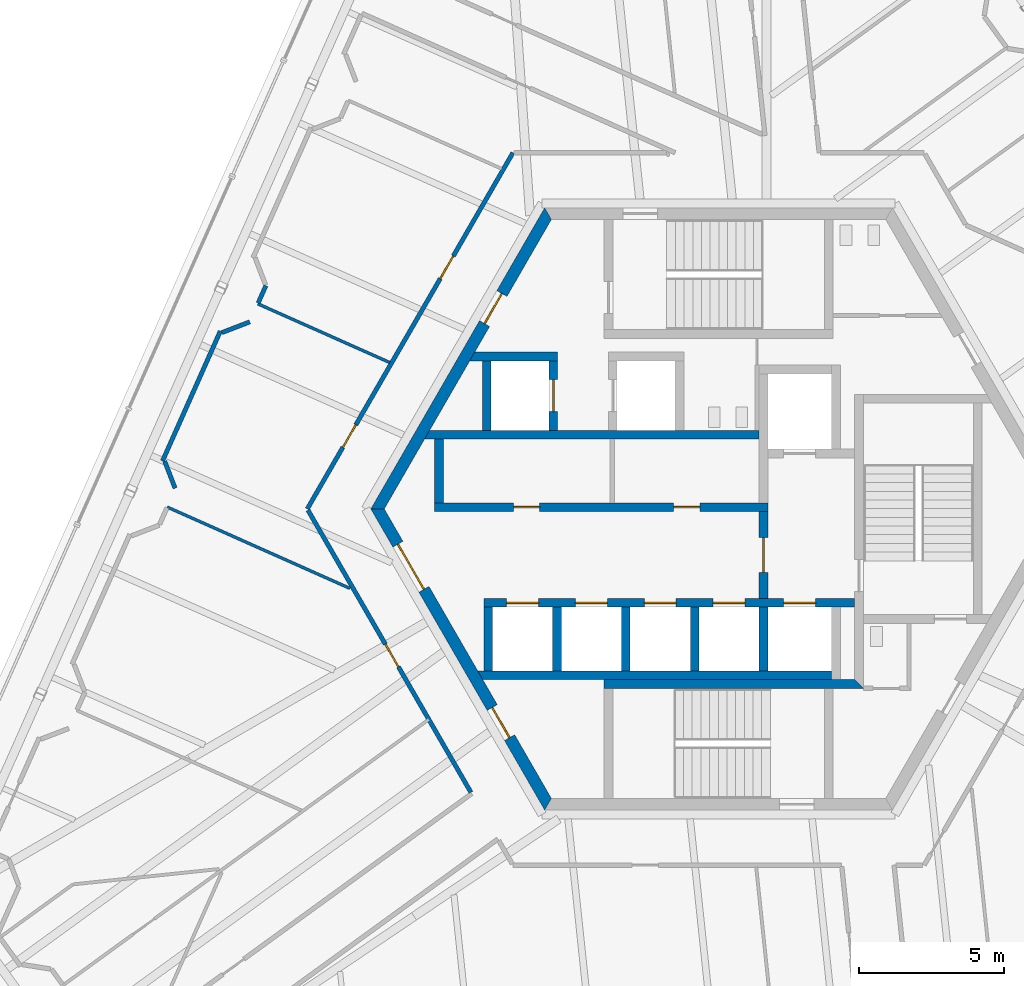
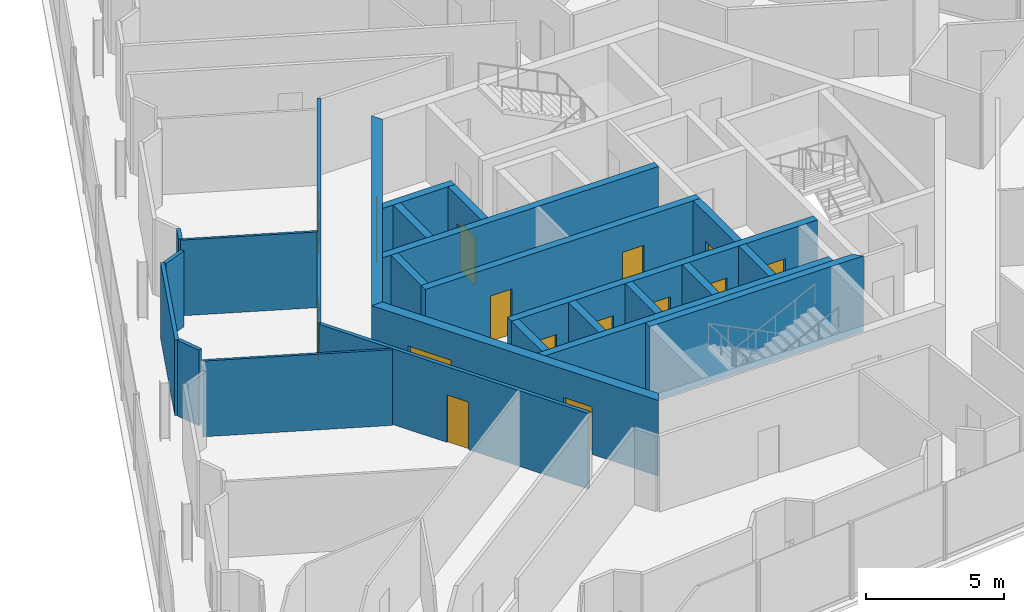
# One storey, part 16 of 26: 25 walls, 15 doors, 15 openings.
"""IFC4 building model written with IfcOpenShell, lengths in metres."""

from ifc_helpers import new_model, si_unit, direction, frame, frame_2d, origin, place, context, subcontext, project, spatial, polyline, rectangle, outline, extrude, source, transform, mapped, material, layer, layer_set, type_object, element, fill, save


model = new_model("IFC4")

# Units and contexts
model_context = context("Model", 3, precision=1e-05, world=origin(), true_north=direction((0.0, 1.0)))
body_context = subcontext(model_context, "Body", "Model", "MODEL_VIEW")
ifc_project = project(units=[si_unit("LENGTHUNIT", "METRE"), si_unit("AREAUNIT", "SQUARE_METRE"), si_unit("VOLUMEUNIT", "CUBIC_METRE"), si_unit("PLANEANGLEUNIT", "RADIAN"), si_unit("MASSUNIT", "GRAM", prefix="KILO")], contexts=[model_context])

# Site, building, storey
site_placement = place(None, origin())
site = spatial("IfcSite", under=ifc_project, at=site_placement, CompositionType="ELEMENT")
building_placement = place(site_placement, origin())
building = spatial("IfcBuilding", under=site, at=building_placement, Name="Triune Harvest Tower", CompositionType="ELEMENT")
storey_placement = place(building_placement, frame((0.0, 0.0, 252.10009765625)))
storey = spatial("IfcBuildingStorey", under=building, at=storey_placement, Name="L66", CompositionType="ELEMENT", Elevation=252.10009765625)

# Wall, opening, door
ifc_material_1 = material(Name="Gypsum board on steel studs", Category="steel")
ifc_layer_1 = layer(ifc_material_1, 0.14990234375)
ifc_layer_set_1 = layer_set([ifc_layer_1], Name="Gypsum board on steel studs")
wall_type_1 = type_object("IfcWallType", Name="Fire Partition 150 mm", PredefinedType="PARTITIONING", material=ifc_layer_set_1)
wall_1_placement = place(storey_placement, frame((-14.1689453125, -0.04296875, 0.0), z_axis=(0.0, 0.0, 1.0), x_axis=(0.500001223064, -0.866024697647, 0.0)))
wall_1 = element("IfcWall", 1, at=wall_1_placement, inside=storey, type_object=wall_type_1, Name="Partition L66 020", PredefinedType="PARTITIONING", context=body_context, shape_type="SweptSolid", body=[
    extrude(rectangle(XDim=11.2451171875, YDim=0.14990234375, at=frame_2d((5.62255859375, 0.0))), origin(), (0.0, 0.0, 1.0), 3.349853515625),
])
opening_1_placement = place(wall_1_placement, frame((5.343505859375, 0.0, 0.0)))
opening_1 = element("IfcOpeningElement", 2, at=opening_1_placement, cuts=wall_1, Name="Opening L66-017", PredefinedType="OPENING", context=body_context, shape_type="SweptSolid", body=[
    extrude(rectangle(XDim=0.89990234375, YDim=2.10009765625, at=frame_2d((0.449951171875, 1.050048828125))), frame((0.0, 0.0849609375, 0.0), z_axis=(0.0, -1.0, 0.0), x_axis=(1.0, 0.0, 0.0)), (0.0, 0.0, 1.0), 0.169921875),
])
ifc_material_2 = material(Name="Timber and steel door set", Category="steel")
door_type_1 = type_object("IfcDoorType", Name="Single leaf door FD30 left hand 900 x 2100", OperationType="SINGLE_SWING_LEFT", PredefinedType="DOOR", material=ifc_material_2)
door_1_placement = place(opening_1_placement, origin())
door_1 = element("IfcDoor", 3, at=door_1_placement, inside=storey, type_object=door_type_1, Name="Door L66-017 Office 66.17", OperationType="SINGLE_SWING_LEFT", OverallHeight=2.10009765625, OverallWidth=0.89990234375, PredefinedType="DOOR", context=body_context, shape_type="SweptSolid", body=[
    extrude(rectangle(XDim=0.89990234375, YDim=2.10009765625, at=frame_2d((0.449951171875, 1.050048828125))), frame((0.0, 0.02490234375, 0.0), z_axis=(0.0, -1.0, 0.0), x_axis=(1.0, 0.0, 0.0)), (0.0, 0.0, 1.0), 0.050048828125),
])
fill(opening_1, door_1)

# Walls
wall_2_placement = place(storey_placement, frame((-15.889404296875, 7.10400390625, 0.0), z_axis=(0.0, 0.0, 1.0), x_axis=(0.406725331802, 0.913550493662, 0.0)))
element("IfcWall", 4, at=wall_2_placement, inside=storey, type_object=wall_type_1, Name="Partition L66 129", PredefinedType="PARTITIONING", context=body_context, shape_type="SweptSolid", body=[
    extrude(rectangle(XDim=0.656005859375, YDim=0.14990234375, at=frame_2d((0.328125, 0.0))), origin(), (0.0, 0.0, 1.0), 3.349853515625),
])
ifc_material_3 = material(Name="Gypsum board on steel studs", Category="steel")
ifc_layer_2 = layer(ifc_material_3, 0.10009765625)
ifc_layer_set_2 = layer_set([ifc_layer_2], Name="Gypsum board on steel studs")
wall_type_2 = type_object("IfcWallType", Name="Partition 100 mm", PredefinedType="PARTITIONING", material=ifc_layer_set_2)
wall_3_placement = place(storey_placement, frame((-19.02392578125, 0.063720703125, 0.0), z_axis=(0.0, 0.0, 1.0), x_axis=(0.913544422689, -0.406738967611, 0.0)))
element("IfcWall", 5, at=wall_3_placement, inside=storey, type_object=wall_type_2, Name="Partition L66 049", PredefinedType="PARTITIONING", context=body_context, shape_type="SweptSolid", body=[
    extrude(rectangle(XDim=6.902099609375, YDim=0.10009765625, at=frame_2d((3.451171875, 0.0))), origin(), (0.0, 0.0, 1.0), 3.349853515625),
])

# Wall, opening, door
ifc_material_4 = material(Name="Concrete 70 MPa", Category="concrete")
ifc_layer_3 = layer(ifc_material_4, 0.39990234375)
ifc_layer_set_3 = layer_set([ifc_layer_3], Name="Concrete 70 MPa")
wall_type_3 = type_object("IfcWallType", Name="Core wall 400", PredefinedType="SHEAR", material=ifc_layer_set_3)
shared_shape_1 = source(origin(), body_context, "Body", "SweptSolid", [
    extrude(outline(polyline([(-0.115478515625, -0.199951171875), (11.884521484375, -0.199951171875), (11.653564453125, 0.199951171875), (0.115478515625, 0.199951171875), (-0.115478515625, -0.199951171875)])), origin(), (0.0, 0.0, 1.0), 3.349853515625),
])
wall_4_placement = place(storey_placement, frame((-5.884521484375, 10.1923828125, 0.0), z_axis=(0.0, 0.0, 1.0), x_axis=(-0.499996592174, -0.866027371285, 0.0)))
wall_4 = element("IfcWall", 6, at=wall_4_placement, inside=storey, type_object=wall_type_3, Name="Hexagon 2 wall", PredefinedType="SHEAR", context=body_context, shape_type="MappedRepresentation", body=[
    mapped(shared_shape_1, transform((0.0, 0.0, 0.0), scale=1.0)),
])
opening_2_placement = place(wall_4_placement, frame((3.1845703125, 0.0, 0.0)))
opening_2 = element("IfcOpeningElement", 7, at=opening_2_placement, cuts=wall_4, Name="Opening CD-SVP", PredefinedType="OPENING", context=body_context, shape_type="SweptSolid", body=[
    extrude(rectangle(XDim=1.199951171875, YDim=2.10009765625, at=frame_2d((0.60009765625, 1.050048828125))), frame((0.0, 0.2099609375, 0.0), z_axis=(0.0, -1.0, 0.0), x_axis=(1.0, 0.0, 0.0)), (0.0, 0.0, 1.0), 0.419921875),
])
ifc_material_5 = material(Name="Steel S235", Category="steel")
door_type_2 = type_object("IfcDoorType", Name="Service door 1200 FD120", OperationType="SINGLE_SWING_LEFT", PredefinedType="DOOR", material=ifc_material_5)
door_2_placement = place(opening_2_placement, frame((1.199951171875, 0.0, 0.0), z_axis=(0.0, 0.0, 1.0), x_axis=(-1.0, 0.0, 0.0)))
door_2 = element("IfcDoor", 8, at=door_2_placement, inside=storey, type_object=door_type_2, Name="Door CD-SVP", OperationType="SINGLE_SWING_RIGHT", OverallHeight=2.10009765625, OverallWidth=1.199951171875, PredefinedType="DOOR", context=body_context, shape_type="SweptSolid", body=[
    extrude(rectangle(XDim=1.199951171875, YDim=2.10009765625, at=frame_2d((0.60009765625, 1.050048828125))), frame((0.0, 0.02490234375, 0.0), z_axis=(0.0, -1.0, 0.0), x_axis=(1.0, 0.0, 0.0)), (0.0, 0.0, 1.0), 0.050048828125),
])
fill(opening_2, door_2)

# Wall, openings, doors
wall_5_placement = place(storey_placement, frame((-11.76904296875, 0.0, 0.0), z_axis=(0.0, 0.0, 1.0), x_axis=(0.499996592174, -0.866027371285, 0.0)))
wall_5 = element("IfcWall", 9, at=wall_5_placement, inside=storey, type_object=wall_type_3, Name="Hexagon 3 wall", PredefinedType="SHEAR", context=body_context, shape_type="MappedRepresentation", body=[
    mapped(shared_shape_1, transform((0.0, 0.0, 0.0), scale=1.0)),
])
opening_3_placement = place(wall_5_placement, frame((1.404541015625, 0.0, 0.0)))
opening_3 = element("IfcOpeningElement", 10, at=opening_3_placement, cuts=wall_5, Name="Opening CD-LS", PredefinedType="OPENING", context=body_context, shape_type="SweptSolid", body=[
    extrude(rectangle(XDim=1.800048828125, YDim=2.10009765625, at=frame_2d((0.89990234375, 1.050048828125))), frame((0.0, 0.2099609375, 0.0), z_axis=(0.0, -1.0, 0.0), x_axis=(1.0, 0.0, 0.0)), (0.0, 0.0, 1.0), 0.419921875),
])
opening_4_placement = place(wall_5_placement, frame((7.91455078125, 0.0, 0.0)))
opening_4 = element("IfcOpeningElement", 11, at=opening_4_placement, cuts=wall_5, Name="Opening CD-SWP", PredefinedType="OPENING", context=body_context, shape_type="SweptSolid", body=[
    extrude(rectangle(XDim=1.199951171875, YDim=2.10009765625, at=frame_2d((0.60009765625, 1.050048828125))), frame((0.0, 0.2099609375, 0.0), z_axis=(0.0, -1.0, 0.0), x_axis=(1.0, 0.0, 0.0)), (0.0, 0.0, 1.0), 0.419921875),
])
ifc_material_6 = material(Name="Steel S235", Category="steel")
door_type_3 = type_object("IfcDoorType", Name="Lobby door 1800 FD120", OperationType="DOUBLE_DOOR_DOUBLE_SWING", PredefinedType="DOOR", material=ifc_material_6)
door_3_placement = place(opening_3_placement, frame((1.800048828125, 0.0, 0.0), z_axis=(0.0, 0.0, 1.0), x_axis=(-1.0, 0.0, 0.0)))
door_3 = element("IfcDoor", 12, at=door_3_placement, inside=storey, type_object=door_type_3, Name="Door CD-LS", OperationType="DOUBLE_DOOR_DOUBLE_SWING", OverallHeight=2.10009765625, OverallWidth=1.800048828125, PredefinedType="DOOR", context=body_context, shape_type="SweptSolid", body=[
    extrude(rectangle(XDim=1.800048828125, YDim=2.10009765625, at=frame_2d((0.89990234375, 1.050048828125))), frame((0.0, 0.02490234375, 0.0), z_axis=(0.0, -1.0, 0.0), x_axis=(1.0, 0.0, 0.0)), (0.0, 0.0, 1.0), 0.050048828125),
])
fill(opening_3, door_3)
door_4_placement = place(opening_4_placement, frame((1.199951171875, 0.0, 0.0), z_axis=(0.0, 0.0, 1.0), x_axis=(-1.0, 0.0, 0.0)))
door_4 = element("IfcDoor", 13, at=door_4_placement, inside=storey, type_object=door_type_2, Name="Door CD-SWP", OperationType="SINGLE_SWING_RIGHT", OverallHeight=2.10009765625, OverallWidth=1.199951171875, PredefinedType="DOOR", context=body_context, shape_type="SweptSolid", body=[
    extrude(rectangle(XDim=1.199951171875, YDim=2.10009765625, at=frame_2d((0.60009765625, 1.050048828125))), frame((0.0, 0.02490234375, 0.0), z_axis=(0.0, -1.0, 0.0), x_axis=(1.0, 0.0, 0.0)), (0.0, 0.0, 1.0), 0.050048828125),
])
fill(opening_4, door_4)

ifc_material_7 = material(Name="Concrete 70 MPa", Category="concrete")
ifc_layer_4 = layer(ifc_material_7, 0.300048828125)
ifc_layer_set_4 = layer_set([ifc_layer_4], Name="Concrete 70 MPa")
wall_type_4 = type_object("IfcWallType", Name="Core wall 300", PredefinedType="SHEAR", material=ifc_layer_set_4)
shared_shape_2 = source(origin(), body_context, "Body", "SweptSolid", [
    extrude(rectangle(XDim=11.5, YDim=0.300048828125, at=frame_2d((5.75, 0.0))), origin(), (0.0, 0.0, 1.0), 3.349853515625),
])
wall_6_placement = place(storey_placement, frame((-9.800048828125, 0.06005859375, 0.0), z_axis=(0.0, 0.0, 1.0), x_axis=(1.0, 0.0, 0.0)))
wall_6 = element("IfcWall", 14, at=wall_6_placement, inside=storey, type_object=wall_type_4, Name="North front wall", PredefinedType="SHEAR", context=body_context, shape_type="MappedRepresentation", body=[
    mapped(shared_shape_2, transform((0.0, 0.0, 0.0), scale=1.0)),
])
opening_5_placement = place(wall_6_placement, frame((2.7275390625, 0.0, 0.0)))
opening_5 = element("IfcOpeningElement", 15, at=opening_5_placement, cuts=wall_6, Name="Opening CD-RN1", PredefinedType="OPENING", context=body_context, shape_type="SweptSolid", body=[
    extrude(rectangle(XDim=0.89990234375, YDim=2.10009765625, at=frame_2d((0.449951171875, 1.050048828125))), frame((0.0, 0.16015625, 0.0), z_axis=(0.0, -1.0, 0.0), x_axis=(1.0, 0.0, 0.0)), (0.0, 0.0, 1.0), 0.320068359375),
])
opening_6_placement = place(wall_6_placement, frame((8.25244140625, 0.0, 0.0)))
opening_6 = element("IfcOpeningElement", 16, at=opening_6_placement, cuts=wall_6, Name="Opening CD-RN2", PredefinedType="OPENING", context=body_context, shape_type="SweptSolid", body=[
    extrude(rectangle(XDim=0.89990234375, YDim=2.10009765625, at=frame_2d((0.449951171875, 1.050048828125))), frame((0.0, 0.16015625, 0.0), z_axis=(0.0, -1.0, 0.0), x_axis=(1.0, 0.0, 0.0)), (0.0, 0.0, 1.0), 0.320068359375),
])
ifc_material_8 = material(Name="Steel S235", Category="steel")
door_type_4 = type_object("IfcDoorType", Name="Riser door 900 FD120", OperationType="SINGLE_SWING_LEFT", PredefinedType="DOOR", material=ifc_material_8)
door_5_placement = place(opening_5_placement, frame((0.89990234375, 0.0, 0.0), z_axis=(0.0, 0.0, 1.0), x_axis=(-1.0, 0.0, 0.0)))
door_5 = element("IfcDoor", 17, at=door_5_placement, inside=storey, type_object=door_type_4, Name="Door CD-RN1", OperationType="SINGLE_SWING_RIGHT", OverallHeight=2.10009765625, OverallWidth=0.89990234375, PredefinedType="DOOR", context=body_context, shape_type="SweptSolid", body=[
    extrude(rectangle(XDim=0.89990234375, YDim=2.10009765625, at=frame_2d((0.449951171875, 1.050048828125))), frame((0.0, 0.02490234375, 0.0), z_axis=(0.0, -1.0, 0.0), x_axis=(1.0, 0.0, 0.0)), (0.0, 0.0, 1.0), 0.050048828125),
])
fill(opening_5, door_5)
door_6_placement = place(opening_6_placement, frame((0.89990234375, 0.0, 0.0), z_axis=(0.0, 0.0, 1.0), x_axis=(-1.0, 0.0, 0.0)))
door_6 = element("IfcDoor", 18, at=door_6_placement, inside=storey, type_object=door_type_4, Name="Door CD-RN2", OperationType="SINGLE_SWING_RIGHT", OverallHeight=2.10009765625, OverallWidth=0.89990234375, PredefinedType="DOOR", context=body_context, shape_type="SweptSolid", body=[
    extrude(rectangle(XDim=0.89990234375, YDim=2.10009765625, at=frame_2d((0.449951171875, 1.050048828125))), frame((0.0, 0.02490234375, 0.0), z_axis=(0.0, -1.0, 0.0), x_axis=(1.0, 0.0, 0.0)), (0.0, 0.0, 1.0), 0.050048828125),
])
fill(opening_6, door_6)

# Wall
shared_shape_3 = source(origin(), body_context, "Body", "SweptSolid", [
    extrude(outline(polyline([(11.199951171875, -0.14990234375), (-0.34912109375, -0.14990234375), (-0.17578125, 0.14990234375), (11.199951171875, 0.14990234375), (11.199951171875, -0.14990234375)])), origin(), (0.0, 0.0, 1.0), 3.349853515625),
])
wall_7_placement = place(storey_placement, frame((-9.800048828125, 2.56005859375, 0.0), z_axis=(0.0, 0.0, 1.0), x_axis=(1.0, 0.0, 0.0)))
element("IfcWall", 19, at=wall_7_placement, inside=storey, type_object=wall_type_4, Name="North back wall", PredefinedType="SHEAR", context=body_context, shape_type="MappedRepresentation", body=[
    mapped(shared_shape_3, transform((0.0, 0.0, 0.0), scale=1.0)),
])

# Wall, opening, door
shared_shape_4 = source(origin(), body_context, "Body", "SweptSolid", [
    extrude(rectangle(XDim=3.0, YDim=0.300048828125, at=frame_2d((1.5, 0.0))), origin(), (0.0, 0.0, 1.0), 3.349853515625),
])
wall_8_placement = place(storey_placement, frame((1.550048828125, -3.090087890625, 0.0), z_axis=(0.0, 0.0, 1.0), x_axis=(0.0, 1.0, 0.0)))
wall_8 = element("IfcWall", 20, at=wall_8_placement, inside=storey, type_object=wall_type_4, Name="Ff lobby west wall", PredefinedType="SHEAR", context=body_context, shape_type="MappedRepresentation", body=[
    mapped(shared_shape_4, transform((0.0, 0.0, 0.0), scale=1.0)),
])
opening_7_placement = place(wall_8_placement, frame((0.89990234375, 0.0, 0.0)))
opening_7 = element("IfcOpeningElement", 21, at=opening_7_placement, cuts=wall_8, Name="Opening CD-FL", PredefinedType="OPENING", context=body_context, shape_type="SweptSolid", body=[
    extrude(rectangle(XDim=1.199951171875, YDim=2.10009765625, at=frame_2d((0.60009765625, 1.050048828125))), frame((0.0, 0.16015625, 0.0), z_axis=(0.0, -1.0, 0.0), x_axis=(1.0, 0.0, 0.0)), (0.0, 0.0, 1.0), 0.320068359375),
])
ifc_material_9 = material(Name="Steel S235", Category="steel")
door_type_5 = type_object("IfcDoorType", Name="Firefighters' lobby door 1200 FD120", OperationType="SINGLE_SWING_LEFT", PredefinedType="DOOR", material=ifc_material_9)
door_7_placement = place(opening_7_placement, frame((1.199951171875, 0.0, 0.0), z_axis=(0.0, 0.0, 1.0), x_axis=(-1.0, 0.0, 0.0)))
door_7 = element("IfcDoor", 22, at=door_7_placement, inside=storey, type_object=door_type_5, Name="Door CD-FL", OperationType="SINGLE_SWING_RIGHT", OverallHeight=2.10009765625, OverallWidth=1.199951171875, PredefinedType="DOOR", context=body_context, shape_type="SweptSolid", body=[
    extrude(rectangle(XDim=1.199951171875, YDim=2.10009765625, at=frame_2d((0.60009765625, 1.050048828125))), frame((0.0, 0.02490234375, 0.0), z_axis=(0.0, -1.0, 0.0), x_axis=(1.0, 0.0, 0.0)), (0.0, 0.0, 1.0), 0.050048828125),
])
fill(opening_7, door_7)

# Wall, openings, doors
shared_shape_5 = source(origin(), body_context, "Body", "SweptSolid", [
    extrude(rectangle(XDim=12.800048828125, YDim=0.300048828125, at=frame_2d((6.39990234375, 0.0))), origin(), (0.0, 0.0, 1.0), 3.349853515625),
])
wall_9_placement = place(storey_placement, frame((-8.10009765625, -3.239990234375, 0.0), z_axis=(0.0, 0.0, 1.0), x_axis=(1.0, 0.0, 0.0)))
wall_9 = element("IfcWall", 23, at=wall_9_placement, inside=storey, type_object=wall_type_4, Name="South front wall", PredefinedType="SHEAR", context=body_context, shape_type="MappedRepresentation", body=[
    mapped(shared_shape_5, transform((0.0, 0.0, 0.0), scale=1.0)),
])
opening_8_placement = place(wall_9_placement, frame((0.78759765625, 0.0, 0.0)))
opening_8 = element("IfcOpeningElement", 24, at=opening_8_placement, cuts=wall_9, Name="Opening LD-HR1-66", PredefinedType="OPENING", context=body_context, shape_type="SweptSolid", body=[
    extrude(rectangle(XDim=1.10009765625, YDim=2.10009765625, at=frame_2d((0.550048828125, 1.050048828125))), frame((0.0, 0.16015625, 0.0), z_axis=(0.0, -1.0, 0.0), x_axis=(1.0, 0.0, 0.0)), (0.0, 0.0, 1.0), 0.320068359375),
])
opening_9_placement = place(wall_9_placement, frame((3.16259765625, 0.0, 0.0)))
opening_9 = element("IfcOpeningElement", 25, at=opening_9_placement, cuts=wall_9, Name="Opening LD-HR2-66", PredefinedType="OPENING", context=body_context, shape_type="SweptSolid", body=[
    extrude(rectangle(XDim=1.10009765625, YDim=2.10009765625, at=frame_2d((0.550048828125, 1.050048828125))), frame((0.0, 0.16015625, 0.0), z_axis=(0.0, -1.0, 0.0), x_axis=(1.0, 0.0, 0.0)), (0.0, 0.0, 1.0), 0.320068359375),
])
opening_10_placement = place(wall_9_placement, frame((5.53759765625, 0.0, 0.0)))
opening_10 = element("IfcOpeningElement", 26, at=opening_10_placement, cuts=wall_9, Name="Opening LD-HR3-66", PredefinedType="OPENING", context=body_context, shape_type="SweptSolid", body=[
    extrude(rectangle(XDim=1.10009765625, YDim=2.10009765625, at=frame_2d((0.550048828125, 1.050048828125))), frame((0.0, 0.16015625, 0.0), z_axis=(0.0, -1.0, 0.0), x_axis=(1.0, 0.0, 0.0)), (0.0, 0.0, 1.0), 0.320068359375),
])
opening_11_placement = place(wall_9_placement, frame((7.91259765625, 0.0, 0.0)))
opening_11 = element("IfcOpeningElement", 27, at=opening_11_placement, cuts=wall_9, Name="Opening LD-HR4-66", PredefinedType="OPENING", context=body_context, shape_type="SweptSolid", body=[
    extrude(rectangle(XDim=1.10009765625, YDim=2.10009765625, at=frame_2d((0.550048828125, 1.050048828125))), frame((0.0, 0.16015625, 0.0), z_axis=(0.0, -1.0, 0.0), x_axis=(1.0, 0.0, 0.0)), (0.0, 0.0, 1.0), 0.320068359375),
])
opening_12_placement = place(wall_9_placement, frame((10.35009765625, 0.0, 0.0)))
opening_12 = element("IfcOpeningElement", 28, at=opening_12_placement, cuts=wall_9, Name="Opening LD-FF2-66", PredefinedType="OPENING", context=body_context, shape_type="SweptSolid", body=[
    extrude(rectangle(XDim=1.10009765625, YDim=2.10009765625, at=frame_2d((0.550048828125, 1.050048828125))), frame((0.0, 0.16015625, 0.0), z_axis=(0.0, -1.0, 0.0), x_axis=(1.0, 0.0, 0.0)), (0.0, 0.0, 1.0), 0.320068359375),
])
ifc_material_10 = material(Name="Stainless steel AISI 304", Category="steel")
door_type_6 = type_object("IfcDoorType", Name="Landing door 1100 x 2100", OperationType="DOUBLE_DOOR_SLIDING", PredefinedType="DOOR", material=ifc_material_10)
door_8_placement = place(opening_8_placement, origin())
door_8 = element("IfcDoor", 29, at=door_8_placement, inside=storey, type_object=door_type_6, Name="Door LD-HR1-66", OperationType="DOUBLE_DOOR_SLIDING", OverallHeight=2.10009765625, OverallWidth=1.10009765625, PredefinedType="DOOR", context=body_context, shape_type="SweptSolid", body=[
    extrude(rectangle(XDim=1.10009765625, YDim=2.10009765625, at=frame_2d((0.550048828125, 1.050048828125))), frame((0.0, 0.02490234375, 0.0), z_axis=(0.0, -1.0, 0.0), x_axis=(1.0, 0.0, 0.0)), (0.0, 0.0, 1.0), 0.050048828125),
])
fill(opening_8, door_8)
door_9_placement = place(opening_9_placement, origin())
door_9 = element("IfcDoor", 30, at=door_9_placement, inside=storey, type_object=door_type_6, Name="Door LD-HR2-66", OperationType="DOUBLE_DOOR_SLIDING", OverallHeight=2.10009765625, OverallWidth=1.10009765625, PredefinedType="DOOR", context=body_context, shape_type="SweptSolid", body=[
    extrude(rectangle(XDim=1.10009765625, YDim=2.10009765625, at=frame_2d((0.550048828125, 1.050048828125))), frame((0.0, 0.02490234375, 0.0), z_axis=(0.0, -1.0, 0.0), x_axis=(1.0, 0.0, 0.0)), (0.0, 0.0, 1.0), 0.050048828125),
])
fill(opening_9, door_9)
door_10_placement = place(opening_10_placement, origin())
door_10 = element("IfcDoor", 31, at=door_10_placement, inside=storey, type_object=door_type_6, Name="Door LD-HR3-66", OperationType="DOUBLE_DOOR_SLIDING", OverallHeight=2.10009765625, OverallWidth=1.10009765625, PredefinedType="DOOR", context=body_context, shape_type="SweptSolid", body=[
    extrude(rectangle(XDim=1.10009765625, YDim=2.10009765625, at=frame_2d((0.550048828125, 1.050048828125))), frame((0.0, 0.02490234375, 0.0), z_axis=(0.0, -1.0, 0.0), x_axis=(1.0, 0.0, 0.0)), (0.0, 0.0, 1.0), 0.050048828125),
])
fill(opening_10, door_10)
door_11_placement = place(opening_11_placement, origin())
door_11 = element("IfcDoor", 32, at=door_11_placement, inside=storey, type_object=door_type_6, Name="Door LD-HR4-66", OperationType="DOUBLE_DOOR_SLIDING", OverallHeight=2.10009765625, OverallWidth=1.10009765625, PredefinedType="DOOR", context=body_context, shape_type="SweptSolid", body=[
    extrude(rectangle(XDim=1.10009765625, YDim=2.10009765625, at=frame_2d((0.550048828125, 1.050048828125))), frame((0.0, 0.02490234375, 0.0), z_axis=(0.0, -1.0, 0.0), x_axis=(1.0, 0.0, 0.0)), (0.0, 0.0, 1.0), 0.050048828125),
])
fill(opening_11, door_11)
door_12_placement = place(opening_12_placement, origin())
door_12 = element("IfcDoor", 33, at=door_12_placement, inside=storey, type_object=door_type_6, Name="Door LD-FF2-66", OperationType="DOUBLE_DOOR_SLIDING", OverallHeight=2.10009765625, OverallWidth=1.10009765625, PredefinedType="DOOR", context=body_context, shape_type="SweptSolid", body=[
    extrude(rectangle(XDim=1.10009765625, YDim=2.10009765625, at=frame_2d((0.550048828125, 1.050048828125))), frame((0.0, 0.02490234375, 0.0), z_axis=(0.0, -1.0, 0.0), x_axis=(1.0, 0.0, 0.0)), (0.0, 0.0, 1.0), 0.050048828125),
])
fill(opening_12, door_12)

# Walls
shared_shape_6 = source(origin(), body_context, "Body", "SweptSolid", [
    extrude(outline(polyline([(12.0, -0.14990234375), (-0.039794921875, -0.14990234375), (-0.212890625, 0.14990234375), (12.0, 0.14990234375), (12.0, -0.14990234375)])), origin(), (0.0, 0.0, 1.0), 3.349853515625),
])
wall_10_placement = place(storey_placement, frame((-8.10009765625, -5.739990234375, 0.0), z_axis=(0.0, 0.0, 1.0), x_axis=(1.0, 0.0, 0.0)))
element("IfcWall", 34, at=wall_10_placement, inside=storey, type_object=wall_type_4, Name="South back wall", PredefinedType="SHEAR", context=body_context, shape_type="MappedRepresentation", body=[
    mapped(shared_shape_6, transform((0.0, 0.0, 0.0), scale=1.0)),
])
shared_shape_7 = source(origin(), body_context, "Body", "SweptSolid", [
    extrude(rectangle(XDim=2.2001953125, YDim=0.300048828125, at=frame_2d((1.10009765625, 0.0))), origin(), (0.0, 0.0, 1.0), 3.349853515625),
])
for number, where, z_axis, x_axis, name in (
    (35, (-7.949951171875, -5.590087890625, 0.0), (0.0, 0.0, 1.0), (0.0, 1.0, 0.0), "South end west wall"),
    (36, (1.550048828125, -5.590087890625, 0.0), (0.0, 0.0, 1.0), (0.0, 1.0, 0.0), "Ff2 west wall"),
    (37, (-5.574951171875, -5.590087890625, 0.0), (0.0, 0.0, 1.0), (0.0, 1.0, 0.0), "South cross 1 wall"),
    (38, (-3.199951171875, -5.590087890625, 0.0), (0.0, 0.0, 1.0), (0.0, 1.0, 0.0), "South cross 2 wall"),
    (39, (-0.824951171875, -5.590087890625, 0.0), (0.0, 0.0, 1.0), (0.0, 1.0, 0.0), "South cross 3 wall"),
):
    element("IfcWall", number, at=place(storey_placement, frame(where, z_axis=z_axis, x_axis=x_axis)), inside=storey, type_object=wall_type_4, Name=name, PredefinedType="SHEAR", context=body_context, shape_type="MappedRepresentation", body=[
        mapped(shared_shape_7, transform((0.0, 0.0, 0.0), scale=1.0)),
    ])
shared_shape_8 = source(origin(), body_context, "Body", "SweptSolid", [
    extrude(rectangle(XDim=2.199951171875, YDim=0.300048828125, at=frame_2d((1.10009765625, 0.0))), origin(), (0.0, 0.0, 1.0), 3.349853515625),
])
wall_11_placement = place(storey_placement, frame((-9.64990234375, 0.2099609375, 0.0), z_axis=(0.0, 0.0, 1.0), x_axis=(0.0, 1.0, 0.0)))
element("IfcWall", 40, at=wall_11_placement, inside=storey, type_object=wall_type_4, Name="North end west wall", PredefinedType="SHEAR", context=body_context, shape_type="MappedRepresentation", body=[
    mapped(shared_shape_8, transform((0.0, 0.0, 0.0), scale=1.0)),
])
shared_shape_9 = source(origin(), body_context, "Body", "SweptSolid", [
    extrude(outline(polyline([(0.0, -0.14990234375), (8.949951171875, -0.14990234375), (8.64990234375, 0.14990234375), (0.0, 0.14990234375), (0.0, -0.14990234375)])), origin(), (0.0, 0.0, 1.0), 3.349853515625),
])
wall_12_placement = place(storey_placement, frame((-3.949951171875, -6.0400390625, 0.0), z_axis=(0.0, 0.0, 1.0), x_axis=(1.0, 0.0, 0.0)))
element("IfcWall", 41, at=wall_12_placement, inside=storey, type_object=wall_type_4, Name="Stair s north wall", PredefinedType="SHEAR", context=body_context, shape_type="MappedRepresentation", body=[
    mapped(shared_shape_9, transform((0.0, 0.0, 0.0), scale=1.0)),
])
shared_shape_10 = source(origin(), body_context, "Body", "SweptSolid", [
    extrude(outline(polyline([(2.60009765625, -0.14990234375), (-0.440185546875, -0.14990234375), (-0.26708984375, 0.14990234375), (2.60009765625, 0.14990234375), (2.60009765625, -0.14990234375)])), origin(), (0.0, 0.0, 1.0), 3.349853515625),
])
wall_13_placement = place(storey_placement, frame((-8.14990234375, 5.260009765625, 0.0), z_axis=(0.0, 0.0, 1.0), x_axis=(1.0, 0.0, 0.0)))
element("IfcWall", 42, at=wall_13_placement, inside=storey, type_object=wall_type_4, Name="Sv1 north wall", PredefinedType="SHEAR", context=body_context, shape_type="MappedRepresentation", body=[
    mapped(shared_shape_10, transform((0.0, 0.0, 0.0), scale=1.0)),
])
shared_shape_11 = source(origin(), body_context, "Body", "SweptSolid", [
    extrude(rectangle(XDim=2.400146484375, YDim=0.300048828125, at=frame_2d((1.2001953125, 0.0))), origin(), (0.0, 0.0, 1.0), 3.349853515625),
])
wall_14_placement = place(storey_placement, frame((-8.0, 2.7099609375, 0.0), z_axis=(0.0, 0.0, 1.0), x_axis=(0.0, 1.0, 0.0)))
element("IfcWall", 43, at=wall_14_placement, inside=storey, type_object=wall_type_4, Name="Sv1 west wall", PredefinedType="SHEAR", context=body_context, shape_type="MappedRepresentation", body=[
    mapped(shared_shape_11, transform((0.0, 0.0, 0.0), scale=1.0)),
])

# Wall, opening, door
wall_15_placement = place(storey_placement, frame((-5.699951171875, 2.7099609375, 0.0), z_axis=(0.0, 0.0, 1.0), x_axis=(0.0, 1.0, 0.0)))
wall_15 = element("IfcWall", 44, at=wall_15_placement, inside=storey, type_object=wall_type_4, Name="Sv1 east wall", PredefinedType="SHEAR", context=body_context, shape_type="MappedRepresentation", body=[
    mapped(shared_shape_11, transform((0.0, 0.0, 0.0), scale=1.0)),
])
opening_13_placement = place(wall_15_placement, frame((0.64990234375, 0.0, 0.0)))
opening_13 = element("IfcOpeningElement", 45, at=opening_13_placement, cuts=wall_15, Name="Opening LD-SV1-66", PredefinedType="OPENING", context=body_context, shape_type="SweptSolid", body=[
    extrude(rectangle(XDim=1.10009765625, YDim=2.10009765625, at=frame_2d((0.550048828125, 1.050048828125))), frame((0.0, 0.16015625, 0.0), z_axis=(0.0, -1.0, 0.0), x_axis=(1.0, 0.0, 0.0)), (0.0, 0.0, 1.0), 0.320068359375),
])
door_13_placement = place(opening_13_placement, origin())
door_13 = element("IfcDoor", 46, at=door_13_placement, inside=storey, type_object=door_type_6, Name="Door LD-SV1-66", OperationType="DOUBLE_DOOR_SLIDING", OverallHeight=2.10009765625, OverallWidth=1.10009765625, PredefinedType="DOOR", context=body_context, shape_type="SweptSolid", body=[
    extrude(rectangle(XDim=1.10009765625, YDim=2.10009765625, at=frame_2d((0.550048828125, 1.050048828125))), frame((0.0, 0.02490234375, 0.0), z_axis=(0.0, -1.0, 0.0), x_axis=(1.0, 0.0, 0.0)), (0.0, 0.0, 1.0), 0.050048828125),
])
fill(opening_13, door_13)

# Wall, openings, doors
shared_shape_12 = source(origin(), body_context, "Body", "SweptSolid", [
    extrude(rectangle(XDim=14.19384765625, YDim=0.14990234375, at=frame_2d((7.096923828125, 0.0))), origin(), (0.0, 0.0, 1.0), 3.349853515625),
])
wall_16_placement = place(storey_placement, frame((-14.19384765625, 0.0, 0.0), z_axis=(0.0, 0.0, 1.0), x_axis=(0.499999887723, 0.866025468608, 0.0)))
wall_16 = element("IfcWall", 47, at=wall_16_placement, inside=storey, type_object=wall_type_1, Name="Partition L66 119", PredefinedType="PARTITIONING", context=body_context, shape_type="MappedRepresentation", body=[
    mapped(shared_shape_12, transform((0.0, 0.0, 0.0), scale=1.0)),
])
opening_14_placement = place(wall_16_placement, frame((9.1767578125, 0.0, 0.0)))
opening_14 = element("IfcOpeningElement", 48, at=opening_14_placement, cuts=wall_16, Name="Opening L66-015", PredefinedType="OPENING", context=body_context, shape_type="SweptSolid", body=[
    extrude(rectangle(XDim=0.89990234375, YDim=2.10009765625, at=frame_2d((0.449951171875, 1.050048828125))), frame((0.0, 0.0849609375, 0.0), z_axis=(0.0, -1.0, 0.0), x_axis=(1.0, 0.0, 0.0)), (0.0, 0.0, 1.0), 0.169921875),
])
opening_15_placement = place(wall_16_placement, frame((2.454833984375, 0.0, 0.0)))
opening_15 = element("IfcOpeningElement", 49, at=opening_15_placement, cuts=wall_16, Name="Opening L66-016", PredefinedType="OPENING", context=body_context, shape_type="SweptSolid", body=[
    extrude(rectangle(XDim=0.89990234375, YDim=2.10009765625, at=frame_2d((0.449951171875, 1.050048828125))), frame((0.0, 0.0849609375, 0.0), z_axis=(0.0, -1.0, 0.0), x_axis=(1.0, 0.0, 0.0)), (0.0, 0.0, 1.0), 0.169921875),
])
door_14_placement = place(opening_15_placement, origin())
door_14 = element("IfcDoor", 50, at=door_14_placement, inside=storey, type_object=door_type_1, Name="Door L66-016 Project Room 66.16", OperationType="SINGLE_SWING_LEFT", OverallHeight=2.10009765625, OverallWidth=0.89990234375, PredefinedType="DOOR", context=body_context, shape_type="SweptSolid", body=[
    extrude(rectangle(XDim=0.89990234375, YDim=2.10009765625, at=frame_2d((0.449951171875, 1.050048828125))), frame((0.0, 0.02490234375, 0.0), z_axis=(0.0, -1.0, 0.0), x_axis=(1.0, 0.0, 0.0)), (0.0, 0.0, 1.0), 0.050048828125),
])
fill(opening_15, door_14)
ifc_material_11 = material(Name="Timber and steel door set", Category="steel")
door_type_7 = type_object("IfcDoorType", Name="Single leaf door FD30 right hand 900 x 2100", OperationType="SINGLE_SWING_RIGHT", PredefinedType="DOOR", material=ifc_material_11)
door_15_placement = place(opening_14_placement, origin())
door_15 = element("IfcDoor", 51, at=door_15_placement, inside=storey, type_object=door_type_7, Name="Door L66-015 Project Room 66.15", OperationType="SINGLE_SWING_RIGHT", OverallHeight=2.10009765625, OverallWidth=0.89990234375, PredefinedType="DOOR", context=body_context, shape_type="SweptSolid", body=[
    extrude(rectangle(XDim=0.89990234375, YDim=2.10009765625, at=frame_2d((0.449951171875, 1.050048828125))), frame((0.0, 0.02490234375, 0.0), z_axis=(0.0, -1.0, 0.0), x_axis=(1.0, 0.0, 0.0)), (0.0, 0.0, 1.0), 0.050048828125),
])
fill(opening_14, door_15)

# Walls
shared_shape_13 = source(origin(), body_context, "Body", "SweptSolid", [
    extrude(rectangle(XDim=4.985107421875, YDim=0.10009765625, at=frame_2d((2.49267578125, 0.0))), origin(), (0.0, 0.0, 1.0), 3.349853515625),
])
wall_17_placement = place(storey_placement, frame((-15.900390625, 7.079345703125, 0.0), z_axis=(0.0, 0.0, 1.0), x_axis=(0.913550842032, -0.406724549323, 0.0)))
element("IfcWall", 52, at=wall_17_placement, inside=storey, type_object=wall_type_2, Name="Partition L66 051", PredefinedType="PARTITIONING", context=body_context, shape_type="MappedRepresentation", body=[
    mapped(shared_shape_13, transform((0.0, 0.0, 0.0), scale=1.0)),
])
shared_shape_14 = source(origin(), body_context, "Body", "SweptSolid", [
    extrude(rectangle(XDim=0.9990234375, YDim=0.14990234375, at=frame_2d((0.49951171875, 0.0))), origin(), (0.0, 0.0, 1.0), 3.349853515625),
])
wall_18_placement = place(storey_placement, frame((-19.114990234375, 1.648681640625, 0.0), z_axis=(0.0, 0.0, 1.0), x_axis=(0.358504131198, -0.933528139862, 0.0)))
element("IfcWall", 53, at=wall_18_placement, inside=storey, type_object=wall_type_1, Name="Partition L66 015", PredefinedType="PARTITIONING", context=body_context, shape_type="MappedRepresentation", body=[
    mapped(shared_shape_14, transform((0.0, 0.0, 0.0), scale=1.0)),
])
shared_shape_15 = source(origin(), body_context, "Body", "SweptSolid", [
    extrude(rectangle(XDim=1.029052734375, YDim=0.14990234375, at=frame_2d((0.5146484375, 0.0))), origin(), (0.0, 0.0, 1.0), 3.349853515625),
])
wall_19_placement = place(storey_placement, frame((-17.13916015625, 6.086181640625, 0.0), z_axis=(0.0, 0.0, 1.0), x_axis=(0.933541129781, 0.358470304218, 0.0)))
element("IfcWall", 54, at=wall_19_placement, inside=storey, type_object=wall_type_1, Name="Partition L66 092", PredefinedType="PARTITIONING", context=body_context, shape_type="MappedRepresentation", body=[
    mapped(shared_shape_15, transform((0.0, 0.0, 0.0), scale=1.0)),
])
shared_shape_16 = source(origin(), body_context, "Body", "SweptSolid", [
    extrude(rectangle(XDim=4.9013671875, YDim=0.14990234375, at=frame_2d((2.45068359375, 0.0))), origin(), (0.0, 0.0, 1.0), 3.349853515625),
])
wall_20_placement = place(storey_placement, frame((-19.1884765625, 1.657470703125, 0.0), z_axis=(0.0, 0.0, 1.0), x_axis=(0.40675767403, 0.913536093768, 0.0)))
element("IfcWall", 55, at=wall_20_placement, inside=storey, type_object=wall_type_1, Name="Partition L66 134", PredefinedType="PARTITIONING", context=body_context, shape_type="MappedRepresentation", body=[
    mapped(shared_shape_16, transform((0.0, 0.0, 0.0), scale=1.0)),
])

save(model, "model.ifc")
